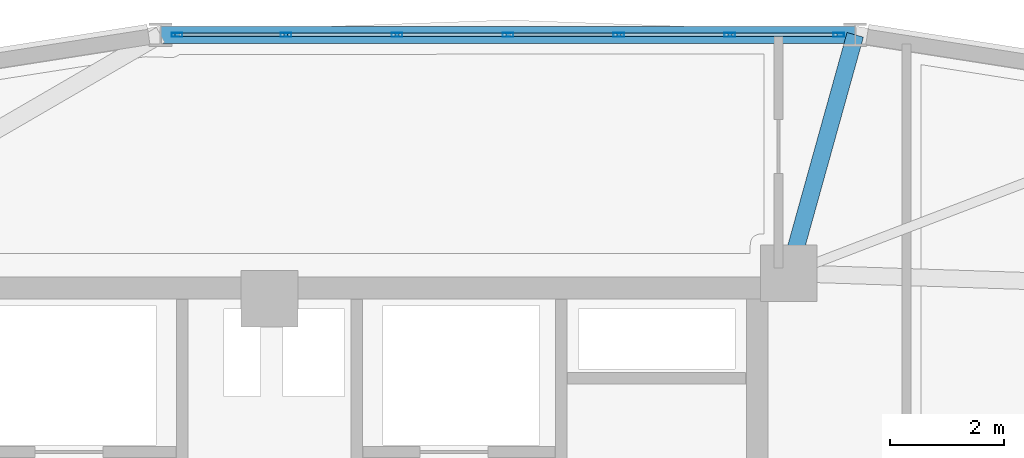
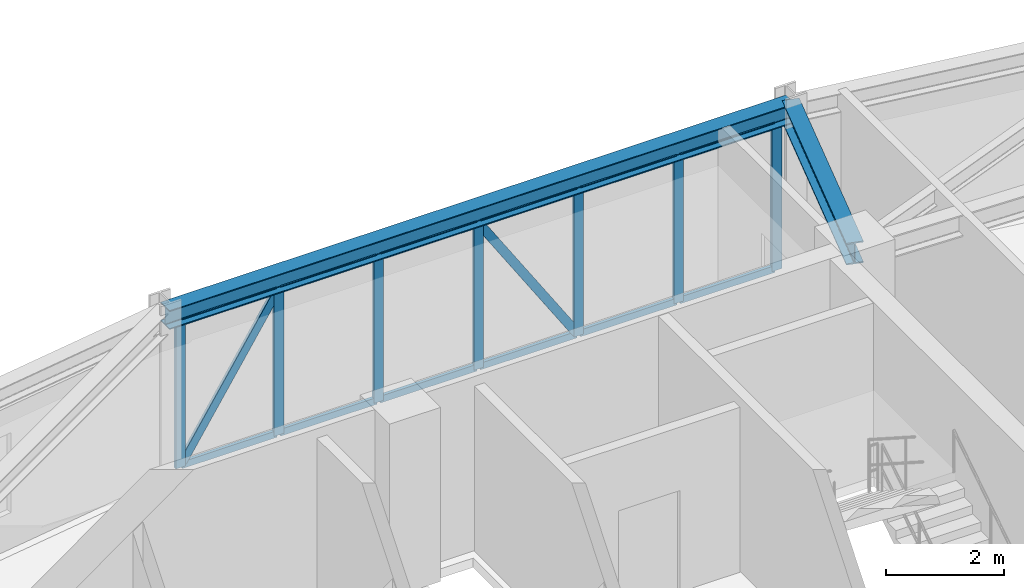
# One storey, part 9 of 16: 21 members, 2 beams, 1 element without a shape of its own.
"""IFC4 building model written with IfcOpenShell, lengths in metres."""

import ifcopenshell
import ifcopenshell.guid

model = None  # the IFC model being written
_history = None  # IfcOwnerHistory: only IFC2X3 demands one
_inside = {}  # id of a spatial element -> (the spatial element, [elements in it])
_under = {}  # id of a project, library or spatial element -> (it, [spatial elements below it])
_declared = {}  # id of a project -> (the project, [libraries it declares])
_typed = {}  # id of a type object -> (the type object, [elements of that type])
_made_of = {}  # id of a material, layer set ... -> (it, [elements and type objects made of it])


def new_model(schema):
    """Start an empty IFC model of exactly this schema.

    Asked for "IFC4X3", IfcOpenShell would pick the latest addendum, in which some entities
    have other attributes; the version numbers below select the first issue.
    IFC2X3 requires an IfcOwnerHistory on every rooted entity: one is made here for all.
    """
    global model, _history
    if schema == "IFC4X3":
        model = ifcopenshell.file(schema_version=(4, 3, 0, 0))
    else:
        model = ifcopenshell.file(schema=schema)
    _inside.clear()
    _under.clear()
    _declared.clear()
    _typed.clear()
    _made_of.clear()
    _history = None
    if model.schema == "IFC2X3":
        org = make("IfcOrganization", Name="unknown")
        user = make(
            "IfcPersonAndOrganization",
            ThePerson=make("IfcPerson", FamilyName="unknown"),
            TheOrganization=org,
        )
        app = make(
            "IfcApplication",
            ApplicationDeveloper=org,
            Version="unknown",
            ApplicationFullName="unknown",
            ApplicationIdentifier="unknown",
        )
        _history = make(
            "IfcOwnerHistory",
            OwningUser=user,
            OwningApplication=app,
            ChangeAction="ADDED",
            CreationDate=0,
        )
    return model


def make(cls, **values):
    """One entity of the class cls with the attributes given. An attribute that is None is left unset."""
    return model.create_entity(
        cls, **{name: value for name, value in values.items() if value is not None}
    )


def rooted(cls, **values):
    """An entity with a GlobalId (a new one), such as an element, a storey or a relation."""
    return make(cls, GlobalId=ifcopenshell.guid.new(), OwnerHistory=_history, **values)


def si_unit(unit_type, name, prefix=None):
    """IfcSIUnit, for example si_unit("LENGTHUNIT", "METRE", prefix="MILLI")."""
    return make("IfcSIUnit", UnitType=unit_type, Prefix=prefix, Name=name)


def derived_unit(unit_type, elements):
    """IfcDerivedUnit: a product of units, each with its exponent."""
    return make(
        "IfcDerivedUnit",
        Elements=[
            make("IfcDerivedUnitElement", Unit=unit, Exponent=power)
            for unit, power in elements
        ],
        UnitType=unit_type,
    )


def assignment(units):
    """IfcUnitAssignment: the units of a project."""
    return None if units is None else make("IfcUnitAssignment", Units=units)


def point(xyz):
    """IfcCartesianPoint."""
    return None if xyz is None else make("IfcCartesianPoint", Coordinates=xyz)


def direction(xyz):
    """IfcDirection."""
    return None if xyz is None else make("IfcDirection", DirectionRatios=xyz)


def frame(location, z_axis=None, x_axis=None):
    """IfcAxis2Placement3D, a coordinate frame: its origin and axes. An axis left out is left unset."""
    return make(
        "IfcAxis2Placement3D",
        Location=point(location),
        Axis=direction(z_axis),
        RefDirection=direction(x_axis),
    )


def frame_2d(location, x_axis=None):
    """IfcAxis2Placement2D, a coordinate frame in the plane: its origin and x axis."""
    return make(
        "IfcAxis2Placement2D", Location=point(location), RefDirection=direction(x_axis)
    )


def origin():
    """The frame at (0, 0, 0) with its axes left unset."""
    return frame((0.0, 0.0, 0.0))


def origin_2d():
    """The frame at (0, 0) in the plane with its x axis left unset."""
    return frame_2d((0.0, 0.0))


def place(relative_to, where):
    """IfcLocalPlacement: puts the frame where relative to a parent placement (None: the world)."""
    return make(
        "IfcLocalPlacement", PlacementRelTo=relative_to, RelativePlacement=where
    )


def context(
    kind, dimensions, precision=None, world=None, true_north=None, identifier=None
):
    """IfcGeometricRepresentationContext, for example the 3D "Model" context."""
    return make(
        "IfcGeometricRepresentationContext",
        ContextIdentifier=identifier,
        ContextType=kind,
        CoordinateSpaceDimension=dimensions,
        Precision=precision,
        WorldCoordinateSystem=world,
        TrueNorth=true_north,
    )


def subcontext(parent, identifier, kind, view, scale=None):
    """IfcGeometricRepresentationSubContext, for example "Body" below "Model"."""
    return make(
        "IfcGeometricRepresentationSubContext",
        ContextIdentifier=identifier,
        ContextType=kind,
        ParentContext=parent,
        TargetScale=scale,
        TargetView=view,
    )


def project(units=None, contexts=None):
    """IfcProject with its units and contexts."""
    return rooted(
        "IfcProject",
        Name="project",
        RepresentationContexts=contexts,
        UnitsInContext=assignment(units),
    )


def spatial(cls, under=None, at=None, **own):
    """A site, building, storey or space (cls), placed at a placement, below another one or the project."""
    s = rooted(cls, ObjectPlacement=at, **own)
    if under is not None:
        _under.setdefault(under.id(), (under, []))[1].append(s)
    return s


def profile(cls, at=None, kind="AREA", **sizes):
    """A parametric profile (cls). Its sizes go by their IFC names, for example OverallWidth=200.0."""
    return make(cls, ProfileType=kind, Position=at, **sizes)


def hollow_rectangle(**sizes):
    """IfcRectangleHollowProfileDef."""
    return profile("IfcRectangleHollowProfileDef", **sizes)


def i_section(**sizes):
    """IfcIShapeProfileDef."""
    return profile("IfcIShapeProfileDef", **sizes)


def extrude(swept, where, along, depth):
    """IfcExtrudedAreaSolid: the profile swept, set in the frame where, extruded along a direction by depth."""
    return make(
        "IfcExtrudedAreaSolid",
        SweptArea=swept,
        Position=where,
        ExtrudedDirection=direction(along),
        Depth=depth,
    )


def shape(context_of_items, identifier, shape_type, items):
    """IfcShapeRepresentation: the items that make up one representation, for example the "Body"."""
    return make(
        "IfcShapeRepresentation",
        ContextOfItems=context_of_items,
        RepresentationIdentifier=identifier,
        RepresentationType=shape_type,
        Items=items,
    )


def source(mapping_origin, context_of_items, identifier, shape_type, items):
    """IfcRepresentationMap: a shape defined once, which mapped items show again and again."""
    return make(
        "IfcRepresentationMap",
        MappingOrigin=mapping_origin,
        MappedRepresentation=shape(context_of_items, identifier, shape_type, items),
    )


def transform(
    local_origin,
    x_axis=None,
    y_axis=None,
    z_axis=None,
    scale=None,
    scale2=None,
    scale3=None,
    uniform=True,
):
    """IfcCartesianTransformationOperator3D, or its non-uniform kind. x_axis, y_axis, z_axis: its Axis1, 2, 3."""
    if uniform:
        return make(
            "IfcCartesianTransformationOperator3D",
            Axis1=direction(x_axis),
            Axis2=direction(y_axis),
            LocalOrigin=point(local_origin),
            Scale=scale,
            Axis3=direction(z_axis),
        )
    return make(
        "IfcCartesianTransformationOperator3DnonUniform",
        Axis1=direction(x_axis),
        Axis2=direction(y_axis),
        LocalOrigin=point(local_origin),
        Scale=scale,
        Axis3=direction(z_axis),
        Scale2=scale2,
        Scale3=scale3,
    )


def mapped(mapping_source, mapping_target):
    """IfcMappedItem: shows the shape of a source again, moved by a transform."""
    return make(
        "IfcMappedItem", MappingSource=mapping_source, MappingTarget=mapping_target
    )


def material(Name=None, Category=None):
    """IfcMaterial."""
    return make("IfcMaterial", Name=Name, Category=Category)


def layer(
    of_material, thickness, ventilated=None, Name=None, Category=None, Priority=None
):
    """IfcMaterialLayer: one layer of a wall or slab, of a material (None: an air gap)."""
    return make(
        "IfcMaterialLayer",
        Material=of_material,
        LayerThickness=thickness,
        IsVentilated=ventilated,
        Name=Name,
        Category=Category,
        Priority=Priority,
    )


def layer_set(layers, Name=None):
    """IfcMaterialLayerSet."""
    return make("IfcMaterialLayerSet", MaterialLayers=layers, LayerSetName=Name)


def material_profile(
    of_material, cross_section, Name=None, Category=None, Priority=None
):
    """IfcMaterialProfile: a cross section and its material."""
    return make(
        "IfcMaterialProfile",
        Name=Name,
        Material=of_material,
        Profile=cross_section,
        Priority=Priority,
        Category=Category,
    )


def profile_set(profiles, Name=None, composite=None):
    """IfcMaterialProfileSet."""
    return make(
        "IfcMaterialProfileSet",
        Name=Name,
        MaterialProfiles=profiles,
        CompositeProfile=composite,
    )


def made_of(thing, what):
    """Note that an element or type object is made of a material, layer set ...; save() writes the relation."""
    if what is not None:
        _made_of.setdefault(what.id(), (what, []))[1].append(thing)
    return thing


def type_object(cls, material=None, **own):
    """A type object (cls), such as IfcWallType, which elements share."""
    return made_of(rooted(cls, **own), material)


def element(
    cls,
    number,
    at=None,
    inside=None,
    cuts=None,
    type_object=None,
    material=None,
    context=None,
    identifier="Body",
    shape_type=None,
    held_by="IfcProductDefinitionShape",
    body=None,
    shapes=None,
    **own,
):
    """One element of the class cls, such as IfcWall. Its Tag is "e" and its number.

    at: its placement. inside: the storey or other place that contains it. cuts: it is an
    opening in that element (IfcRelVoidsElement). A single representation is given by context,
    identifier, shape_type and body (its items); several are given by shapes. held_by: the class
    of the entity that holds the representations. save() writes the other relations.
    """
    e = rooted(cls, Tag="e%d" % number, ObjectPlacement=at, **own)
    if body is not None:
        shapes = [shape(context, identifier, shape_type, body)]
    if shapes is not None:
        e.Representation = make(held_by, Representations=shapes)
    if inside is not None:
        _inside.setdefault(inside.id(), (inside, []))[1].append(e)
    if cuts is not None:
        rooted(
            "IfcRelVoidsElement", RelatingBuildingElement=cuts, RelatedOpeningElement=e
        )
    if type_object is not None:
        _typed.setdefault(type_object.id(), (type_object, []))[1].append(e)
    return made_of(e, material)


def aggregate(whole, parts):
    """IfcRelAggregates: a whole, such as a stair, and the parts it consists of."""
    return rooted("IfcRelAggregates", RelatingObject=whole, RelatedObjects=parts)


def save(model, path):
    """Write the relations noted so far, then the file.

    IfcRelAggregates (storeys below a building ...), IfcRelContainedInSpatialStructure (elements
    in a storey), IfcRelDefinesByType, IfcRelAssociatesMaterial and IfcRelDeclares: one each for
    every whole, place, type object, material and project.
    """
    for whole, parts in _under.values():
        aggregate(whole, parts)
    for where, things in _inside.values():
        rooted(
            "IfcRelContainedInSpatialStructure",
            RelatedElements=things,
            RelatingStructure=where,
        )
    for kind, things in _typed.values():
        rooted("IfcRelDefinesByType", RelatedObjects=things, RelatingType=kind)
    for what, things in _made_of.values():
        rooted("IfcRelAssociatesMaterial", RelatedObjects=things, RelatingMaterial=what)
    for by, libraries in _declared.values():
        rooted("IfcRelDeclares", RelatingContext=by, RelatedDefinitions=libraries)
    model.write(path)


model = new_model("IFC4")

# Units and contexts
model_context = context("Model", 3, precision=1e-05, world=origin(), true_north=direction((0.0, 1.0)))
body_context = subcontext(model_context, "Body", "Model", "MODEL_VIEW")
ifc_project = project(units=[si_unit("LENGTHUNIT", "METRE"), si_unit("AREAUNIT", "SQUARE_METRE"), si_unit("VOLUMEUNIT", "CUBIC_METRE"), si_unit("PLANEANGLEUNIT", "RADIAN"), si_unit("MASSUNIT", "GRAM", prefix="KILO"), derived_unit("THERMALTRANSMITTANCEUNIT", [(si_unit("POWERUNIT", "WATT"), 1), (si_unit("LENGTHUNIT", "METRE"), -2), (si_unit("THERMODYNAMICTEMPERATUREUNIT", "KELVIN"), -1)])], contexts=[model_context])

# Site, building, storey
site_placement = place(None, origin())
site = spatial("IfcSite", under=ifc_project, at=site_placement, CompositionType="ELEMENT")
building_placement = place(site_placement, origin())
building = spatial("IfcBuilding", under=site, at=building_placement, Name="Korsvarv Bourse and Concert Hall", CompositionType="ELEMENT")
storey_placement = place(building_placement, frame((0.0, 0.0, 220.199951171875)))
storey = spatial("IfcBuildingStorey", under=building, at=storey_placement, Name="L57", CompositionType="ELEMENT", Elevation=220.199951171875)

# Beams
ifc_material_1 = material(Name="Steel S355", Category="steel")
ifc_material_profile_1 = material_profile(ifc_material_1, i_section(OverallWidth=0.300048828125, OverallDepth=0.389892578125, WebThickness=0.010986328125, FlangeThickness=0.01904296875, FilletRadius=0.02099609375, at=origin_2d()), Name="HEA 400")
ifc_profile_set_1 = profile_set([ifc_material_profile_1], Name="Steel S355")
beam_type_1 = type_object("IfcBeamType", Name="BM-HEA400", PredefinedType="BEAM", material=ifc_profile_set_1)
shared_shape_1 = source(origin(), body_context, "Body", "SweptSolid", [
    extrude(i_section(OverallWidth=0.300048828125, OverallDepth=0.389892578125, WebThickness=0.010986328125, FlangeThickness=0.01904296875, FilletRadius=0.02099609375, at=origin_2d()), origin(), (0.0, 0.0, 1.0), 12.238037109375),
])
beam_1_placement = place(storey_placement, frame((46.319091796875, 51.449951171875, 3.215087890625), z_axis=(-1.0, 0.0, 0.0), x_axis=(0.0, -1.0, 0.0)))
element("IfcBeam", 1, at=beam_1_placement, inside=storey, type_object=beam_type_1, Name="L57 beam B-11", PredefinedType="BEAM", context=body_context, shape_type="MappedRepresentation", body=[
    mapped(shared_shape_1, transform((0.0, 0.0, 0.0), scale=1.0)),
])
ifc_material_profile_2 = material_profile(ifc_material_1, i_section(OverallWidth=0.300048828125, OverallDepth=0.449951171875, WebThickness=0.013916015625, FlangeThickness=0.02587890625, FilletRadius=0.02099609375, at=origin_2d()), Name="HEB 450")
ifc_profile_set_2 = profile_set([ifc_material_profile_2], Name="Steel S355")
beam_type_2 = type_object("IfcBeamType", Name="BM-HEB450", PredefinedType="SPANDREL", material=ifc_profile_set_2)
shared_shape_2 = source(origin(), body_context, "Body", "SweptSolid", [
    extrude(i_section(OverallWidth=0.300048828125, OverallDepth=0.449951171875, WebThickness=0.013916015625, FlangeThickness=0.02587890625, FilletRadius=0.02099609375, at=origin_2d()), origin(), (0.0, 0.0, 1.0), 4.359619140625),
])
beam_2_placement = place(storey_placement, frame((46.319091796875, 51.449951171875, 3.18505859375), z_axis=(-0.268183924737, -0.963367729641, 0.0), x_axis=(0.963367729641, -0.268183924737, 0.0)))
element("IfcBeam", 2, at=beam_2_placement, inside=storey, type_object=beam_type_2, Name="L57 beam B-08", PredefinedType="SPANDREL", context=body_context, shape_type="MappedRepresentation", body=[
    mapped(shared_shape_2, transform((0.0, 0.0, 0.0), scale=1.0)),
])

# Curtain wall, members
ifc_material_2 = material(Name="Anodised aluminium and triple low-E glazing", Category="glass")
ifc_layer = layer(ifc_material_2, 0.199951171875)
ifc_layer_set = layer_set([ifc_layer], Name="Anodised aluminium and triple low-E glazing")
curtain_wall_type = type_object("IfcCurtainWallType", Name="CW-SYS-3", PredefinedType="NOTDEFINED", material=ifc_layer_set)
curtain_wall_placement = place(storey_placement, origin())
curtain_wall = element("IfcCurtainWall", 3, at=curtain_wall_placement, inside=storey, type_object=curtain_wall_type, Name="L57 CW3 curtain wall CW-L57-F03", PredefinedType="NOTDEFINED")
ifc_material_3 = material(Name="Extruded aluminium EN AW-6063 T66", Category="aluminium")
ifc_material_profile_3 = material_profile(ifc_material_3, hollow_rectangle(XDim=0.06494140625, YDim=0.1650390625, WallThickness=0.0048828125, at=origin_2d()), Name="ALU-M 65x165")
ifc_profile_set_3 = profile_set([ifc_material_profile_3], Name="Extruded aluminium EN AW-6063 T66")
member_type_1 = type_object("IfcMemberType", Name="CWM-165", PredefinedType="MULLION", material=ifc_profile_set_3)
shared_shape_3 = source(origin(), body_context, "Body", "SweptSolid", [
    extrude(hollow_rectangle(XDim=0.06494140625, YDim=0.1650390625, WallThickness=0.0048828125, at=origin_2d()), origin(), (0.0, 0.0, 1.0), 3.431640625),
])
member_1_placement = place(storey_placement, frame((34.404052734375, 51.449951171875, 0.06494140625), z_axis=(0.539188949035, 0.0, 0.842184823681), x_axis=(0.0, 1.0, 0.0)))
member_1 = element("IfcMember", 4, at=member_1_placement, type_object=member_type_1, Name="CW3 diagonal mullion 6", PredefinedType="MULLION", context=body_context, shape_type="MappedRepresentation", body=[
    mapped(shared_shape_3, transform((0.0, 0.0, 0.0), scale=1.0)),
])
ifc_material_profile_4 = material_profile(ifc_material_3, hollow_rectangle(XDim=0.070068359375, YDim=0.18994140625, WallThickness=0.0048828125, at=origin_2d()), Name="ALU-M 70x190")
ifc_profile_set_4 = profile_set([ifc_material_profile_4], Name="Extruded aluminium EN AW-6063 T66")
member_type_2 = type_object("IfcMemberType", Name="CWM-190", PredefinedType="MULLION", material=ifc_profile_set_4)
shared_shape_4 = source(origin(), body_context, "Body", "SweptSolid", [
    extrude(hollow_rectangle(XDim=0.070068359375, YDim=0.18994140625, WallThickness=0.0048828125, at=origin_2d()), origin(), (0.0, 0.0, 1.0), 3.02001953125),
])
member_2_placement = place(storey_placement, frame((46.031005859375, 51.449951171875, 0.0), z_axis=(0.0, 0.0, 1.0), x_axis=(0.0, -1.0, 0.0)))
member_2 = element("IfcMember", 5, at=member_2_placement, type_object=member_type_2, Name="CW3 mullion 1", PredefinedType="MULLION", context=body_context, shape_type="MappedRepresentation", body=[
    mapped(shared_shape_4, transform((0.0, 0.0, 0.0), scale=1.0)),
])
member_3_placement = place(storey_placement, frame((44.110595703125, 51.449951171875, 0.0), z_axis=(0.0, 0.0, 1.0), x_axis=(0.0, -1.0, 0.0)))
member_3 = element("IfcMember", 6, at=member_3_placement, type_object=member_type_2, Name="CW3 mullion 2", PredefinedType="MULLION", context=body_context, shape_type="MappedRepresentation", body=[
    mapped(shared_shape_4, transform((0.0, 0.0, 0.0), scale=1.0)),
])
member_4_placement = place(storey_placement, frame((42.1552734375, 51.449951171875, 0.0), z_axis=(0.0, 0.0, 1.0), x_axis=(0.0, -1.0, 0.0)))
member_4 = element("IfcMember", 7, at=member_4_placement, type_object=member_type_2, Name="CW3 mullion 3", PredefinedType="MULLION", context=body_context, shape_type="MappedRepresentation", body=[
    mapped(shared_shape_4, transform((0.0, 0.0, 0.0), scale=1.0)),
])
member_5_placement = place(storey_placement, frame((40.199951171875, 51.449951171875, 0.0), z_axis=(0.0, 0.0, 1.0), x_axis=(0.0, -1.0, 0.0)))
member_5 = element("IfcMember", 8, at=member_5_placement, type_object=member_type_2, Name="CW3 mullion 4", PredefinedType="MULLION", context=body_context, shape_type="MappedRepresentation", body=[
    mapped(shared_shape_4, transform((0.0, 0.0, 0.0), scale=1.0)),
])
member_6_placement = place(storey_placement, frame((38.24462890625, 51.449951171875, 0.0), z_axis=(0.0, 0.0, 1.0), x_axis=(0.0, -1.0, 0.0)))
member_6 = element("IfcMember", 9, at=member_6_placement, type_object=member_type_2, Name="CW3 mullion 5", PredefinedType="MULLION", context=body_context, shape_type="MappedRepresentation", body=[
    mapped(shared_shape_4, transform((0.0, 0.0, 0.0), scale=1.0)),
])
member_7_placement = place(storey_placement, frame((36.289306640625, 51.449951171875, 0.0), z_axis=(0.0, 0.0, 1.0), x_axis=(0.0, -1.0, 0.0)))
member_7 = element("IfcMember", 10, at=member_7_placement, type_object=member_type_2, Name="CW3 mullion 6", PredefinedType="MULLION", context=body_context, shape_type="MappedRepresentation", body=[
    mapped(shared_shape_4, transform((0.0, 0.0, 0.0), scale=1.0)),
])
member_8_placement = place(storey_placement, frame((34.368896484375, 51.449951171875, 0.0), z_axis=(0.0, 0.0, 1.0), x_axis=(0.0, -1.0, 0.0)))
member_8 = element("IfcMember", 11, at=member_8_placement, type_object=member_type_2, Name="CW3 mullion 7", PredefinedType="MULLION", context=body_context, shape_type="MappedRepresentation", body=[
    mapped(shared_shape_4, transform((0.0, 0.0, 0.0), scale=1.0)),
])
ifc_material_profile_5 = material_profile(ifc_material_3, hollow_rectangle(XDim=0.06494140625, YDim=0.139892578125, WallThickness=0.00390625, at=origin_2d()), Name="ALU-T 65x140")
ifc_profile_set_5 = profile_set([ifc_material_profile_5], Name="Extruded aluminium EN AW-6063 T66")
member_type_3 = type_object("IfcMemberType", Name="CWT-140", PredefinedType="USERDEFINED", material=ifc_profile_set_5)
shared_shape_5 = source(origin(), body_context, "Body", "SweptSolid", [
    extrude(hollow_rectangle(XDim=0.06494140625, YDim=0.139892578125, WallThickness=0.00390625, at=origin_2d()), origin(), (0.0, 0.0, 1.0), 1.850341796875),
])
member_9_placement = place(storey_placement, frame((45.99609375, 51.449951171875, 0.032470703125), z_axis=(-1.0, 0.0, 0.0), x_axis=(0.0, -1.0, 0.0)))
member_9 = element("IfcMember", 12, at=member_9_placement, type_object=member_type_3, Name="CW3 transom 1.1", ObjectType="TRANSOM", PredefinedType="USERDEFINED", context=body_context, shape_type="MappedRepresentation", body=[
    mapped(shared_shape_5, transform((0.0, 0.0, 0.0), scale=1.0)),
])
member_10_placement = place(storey_placement, frame((45.99609375, 51.449951171875, 2.987548828125), z_axis=(-1.0, 0.0, 0.0), x_axis=(0.0, -1.0, 0.0)))
member_10 = element("IfcMember", 13, at=member_10_placement, type_object=member_type_3, Name="CW3 transom 1.2", ObjectType="TRANSOM", PredefinedType="USERDEFINED", context=body_context, shape_type="MappedRepresentation", body=[
    mapped(shared_shape_5, transform((0.0, 0.0, 0.0), scale=1.0)),
])
member_11_placement = place(storey_placement, frame((36.25439453125, 51.449951171875, 0.032470703125), z_axis=(-1.0, 0.0, 0.0), x_axis=(0.0, -1.0, 0.0)))
member_11 = element("IfcMember", 14, at=member_11_placement, type_object=member_type_3, Name="CW3 transom 6.1", ObjectType="TRANSOM", PredefinedType="USERDEFINED", context=body_context, shape_type="MappedRepresentation", body=[
    mapped(shared_shape_5, transform((0.0, 0.0, 0.0), scale=1.0)),
])
member_12_placement = place(storey_placement, frame((36.25439453125, 51.449951171875, 2.987548828125), z_axis=(-1.0, 0.0, 0.0), x_axis=(0.0, -1.0, 0.0)))
member_12 = element("IfcMember", 15, at=member_12_placement, type_object=member_type_3, Name="CW3 transom 6.2", ObjectType="TRANSOM", PredefinedType="USERDEFINED", context=body_context, shape_type="MappedRepresentation", body=[
    mapped(shared_shape_5, transform((0.0, 0.0, 0.0), scale=1.0)),
])
shared_shape_6 = source(origin(), body_context, "Body", "SweptSolid", [
    extrude(hollow_rectangle(XDim=0.06494140625, YDim=0.139892578125, WallThickness=0.00390625, at=origin_2d()), origin(), (0.0, 0.0, 1.0), 1.88525390625),
])
member_13_placement = place(storey_placement, frame((44.07568359375, 51.449951171875, 0.032470703125), z_axis=(-1.0, 0.0, 0.0), x_axis=(0.0, -1.0, 0.0)))
member_13 = element("IfcMember", 16, at=member_13_placement, type_object=member_type_3, Name="CW3 transom 2.1", ObjectType="TRANSOM", PredefinedType="USERDEFINED", context=body_context, shape_type="MappedRepresentation", body=[
    mapped(shared_shape_6, transform((0.0, 0.0, 0.0), scale=1.0)),
])
member_14_placement = place(storey_placement, frame((44.07568359375, 51.449951171875, 2.987548828125), z_axis=(-1.0, 0.0, 0.0), x_axis=(0.0, -1.0, 0.0)))
member_14 = element("IfcMember", 17, at=member_14_placement, type_object=member_type_3, Name="CW3 transom 2.2", ObjectType="TRANSOM", PredefinedType="USERDEFINED", context=body_context, shape_type="MappedRepresentation", body=[
    mapped(shared_shape_6, transform((0.0, 0.0, 0.0), scale=1.0)),
])
member_15_placement = place(storey_placement, frame((42.120361328125, 51.449951171875, 0.032470703125), z_axis=(-1.0, 0.0, 0.0), x_axis=(0.0, -1.0, 0.0)))
member_15 = element("IfcMember", 18, at=member_15_placement, type_object=member_type_3, Name="CW3 transom 3.1", ObjectType="TRANSOM", PredefinedType="USERDEFINED", context=body_context, shape_type="MappedRepresentation", body=[
    mapped(shared_shape_6, transform((0.0, 0.0, 0.0), scale=1.0)),
])
member_16_placement = place(storey_placement, frame((42.120361328125, 51.449951171875, 2.987548828125), z_axis=(-1.0, 0.0, 0.0), x_axis=(0.0, -1.0, 0.0)))
member_16 = element("IfcMember", 19, at=member_16_placement, type_object=member_type_3, Name="CW3 transom 3.2", ObjectType="TRANSOM", PredefinedType="USERDEFINED", context=body_context, shape_type="MappedRepresentation", body=[
    mapped(shared_shape_6, transform((0.0, 0.0, 0.0), scale=1.0)),
])
member_17_placement = place(storey_placement, frame((40.1650390625, 51.449951171875, 0.032470703125), z_axis=(-1.0, 0.0, 0.0), x_axis=(0.0, -1.0, 0.0)))
member_17 = element("IfcMember", 20, at=member_17_placement, type_object=member_type_3, Name="CW3 transom 4.1", ObjectType="TRANSOM", PredefinedType="USERDEFINED", context=body_context, shape_type="MappedRepresentation", body=[
    mapped(shared_shape_6, transform((0.0, 0.0, 0.0), scale=1.0)),
])
member_18_placement = place(storey_placement, frame((40.1650390625, 51.449951171875, 2.987548828125), z_axis=(-1.0, 0.0, 0.0), x_axis=(0.0, -1.0, 0.0)))
member_18 = element("IfcMember", 21, at=member_18_placement, type_object=member_type_3, Name="CW3 transom 4.2", ObjectType="TRANSOM", PredefinedType="USERDEFINED", context=body_context, shape_type="MappedRepresentation", body=[
    mapped(shared_shape_6, transform((0.0, 0.0, 0.0), scale=1.0)),
])
shared_shape_7 = source(origin(), body_context, "Body", "SweptSolid", [
    extrude(hollow_rectangle(XDim=0.06494140625, YDim=0.139892578125, WallThickness=0.00390625, at=origin_2d()), origin(), (0.0, 0.0, 1.0), 1.885498046875),
])
member_19_placement = place(storey_placement, frame((38.209716796875, 51.449951171875, 0.032470703125), z_axis=(-1.0, 0.0, 0.0), x_axis=(0.0, -1.0, 0.0)))
member_19 = element("IfcMember", 22, at=member_19_placement, type_object=member_type_3, Name="CW3 transom 5.1", ObjectType="TRANSOM", PredefinedType="USERDEFINED", context=body_context, shape_type="MappedRepresentation", body=[
    mapped(shared_shape_7, transform((0.0, 0.0, 0.0), scale=1.0)),
])
member_20_placement = place(storey_placement, frame((38.209716796875, 51.449951171875, 2.987548828125), z_axis=(-1.0, 0.0, 0.0), x_axis=(0.0, -1.0, 0.0)))
member_20 = element("IfcMember", 23, at=member_20_placement, type_object=member_type_3, Name="CW3 transom 5.2", ObjectType="TRANSOM", PredefinedType="USERDEFINED", context=body_context, shape_type="MappedRepresentation", body=[
    mapped(shared_shape_7, transform((0.0, 0.0, 0.0), scale=1.0)),
])
shared_shape_8 = source(origin(), body_context, "Body", "SweptSolid", [
    extrude(hollow_rectangle(XDim=0.06494140625, YDim=0.1650390625, WallThickness=0.0048828125, at=origin_2d()), origin(), (0.0, 0.0, 1.0), 3.45068359375),
])
member_21_placement = place(storey_placement, frame((42.120361328125, 51.449951171875, 0.06494140625), z_axis=(-0.546345473818, 0.0, 0.837559922178), x_axis=(0.0, -1.0, 0.0)))
member_21 = element("IfcMember", 24, at=member_21_placement, type_object=member_type_1, Name="CW3 diagonal mullion 3", PredefinedType="MULLION", context=body_context, shape_type="MappedRepresentation", body=[
    mapped(shared_shape_8, transform((0.0, 0.0, 0.0), scale=1.0)),
])
aggregate(curtain_wall, [member_2, member_3, member_4, member_5, member_6, member_7, member_8, member_9, member_10, member_13, member_14, member_15, member_16, member_21, member_17, member_18, member_19, member_20, member_11, member_12, member_1])

save(model, "model.ifc")
